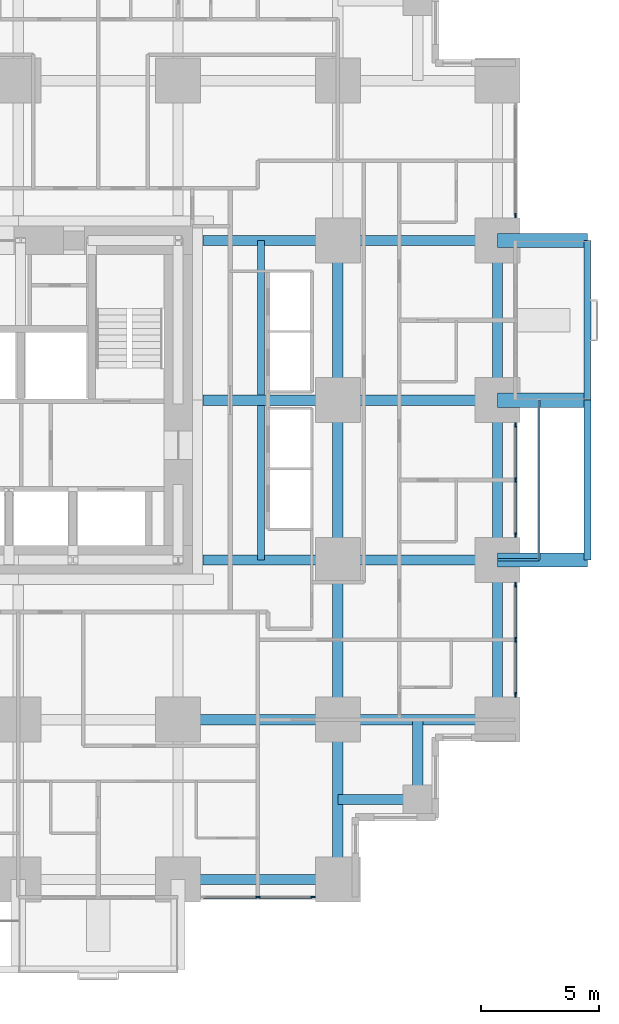
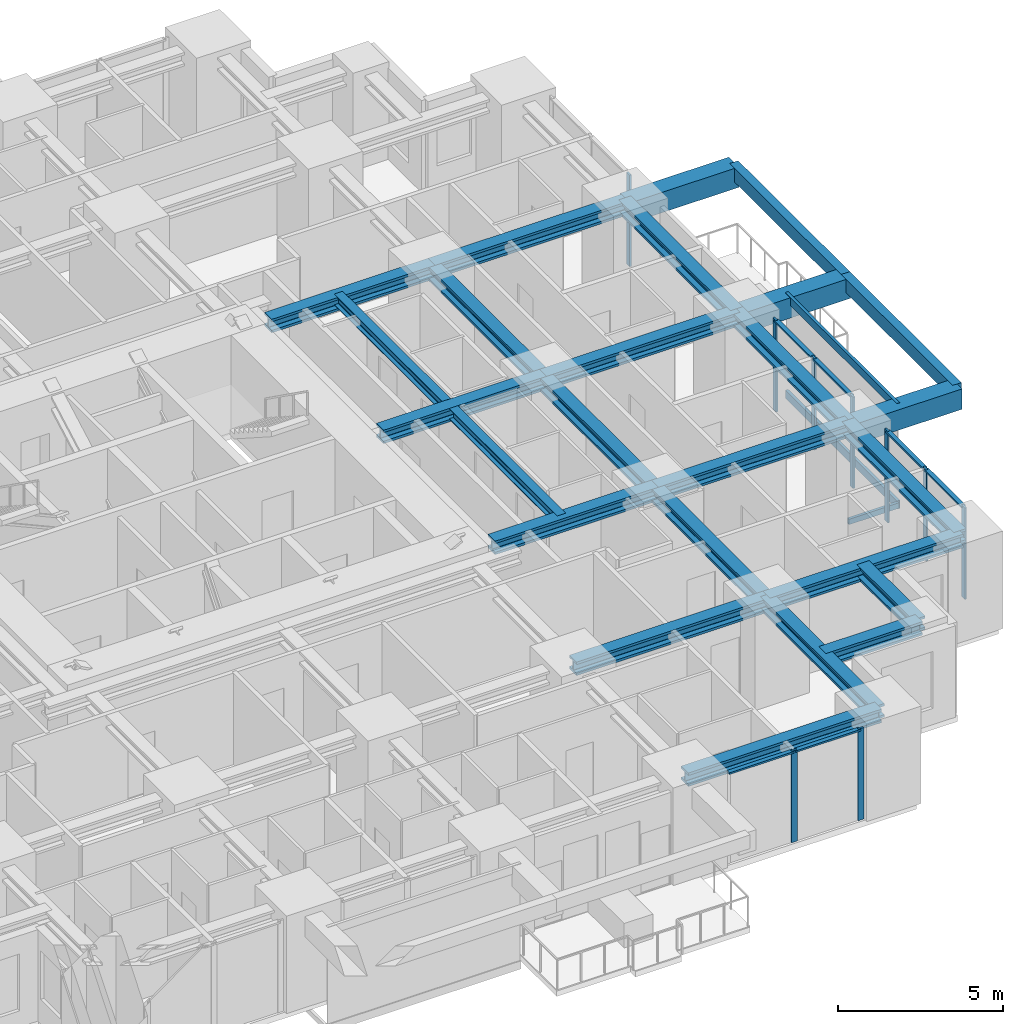
# One storey, part 4 of 14: 25 beams, 18 members, 4 elements without a shape of their own.
"""IFC4 building model written with IfcOpenShell, lengths in metres."""

from ifc_helpers import new_model, si_unit, direction, frame, origin, origin_2d, place, context, subcontext, project, spatial, rectangle, hollow_rectangle, i_section, extrude, material, material_profile, profile_set, type_object, element, aggregate, save


model = new_model("IFC4")

# Units and contexts
model_context = context("Model", 3, precision=1e-05, world=origin(), true_north=direction((0.0, 1.0)))
body_context = subcontext(model_context, "Body", "Model", "MODEL_VIEW")
ifc_project = project(units=[si_unit("LENGTHUNIT", "METRE"), si_unit("AREAUNIT", "SQUARE_METRE"), si_unit("VOLUMEUNIT", "CUBIC_METRE"), si_unit("PLANEANGLEUNIT", "RADIAN"), si_unit("MASSUNIT", "GRAM", prefix="KILO")], contexts=[model_context])

# Site, building, storey
site_placement = place(None, origin())
site = spatial("IfcSite", under=ifc_project, at=site_placement, CompositionType="ELEMENT")
building_placement = place(site_placement, origin())
building = spatial("IfcBuilding", under=site, at=building_placement, Name="Nyansa Garden Tower", CompositionType="ELEMENT")
storey_placement = place(building_placement, frame((0.0, 0.0, 43.199951171875)))
storey = spatial("IfcBuildingStorey", under=building, at=storey_placement, Name="L11", CompositionType="ELEMENT", Elevation=43.199951171875)

# Beams
ifc_material_1 = material(Name="Concrete C70/85", Category="concrete")
ifc_material_profile_1 = material_profile(ifc_material_1, rectangle(XDim=0.60009765625, YDim=0.75, at=origin_2d()), Name="RC 600x750")
ifc_profile_set_1 = profile_set([ifc_material_profile_1], Name="Concrete C70/85")
beam_type_1 = type_object("IfcBeamType", Name="Balcony cantilever beam CB1 RC 600x750", PredefinedType="BEAM", material=ifc_profile_set_1)
for number, where, z_axis, x_axis, name in (
    (1, (40.5, 13.5, 2.985107421875), (1.0, 0.0, 0.0), (0.0, 1.0, 0.0), "Balcony cantilever beam L12"),
    (2, (40.5, 20.25, 2.985107421875), (1.0, 0.0, 0.0), (0.0, 1.0, 0.0), "Balcony cantilever beam L12"),
    (3, (40.5, 27.0, 2.985107421875), (1.0, 0.0, 0.0), (0.0, 1.0, 0.0), "Balcony cantilever beam L12"),
):
    element("IfcBeam", number, at=place(storey_placement, frame(where, z_axis=z_axis, x_axis=x_axis)), inside=storey, type_object=beam_type_1, Name=name, PredefinedType="BEAM", context=body_context, shape_type="SweptSolid", body=[
        extrude(rectangle(XDim=0.60009765625, YDim=0.75, at=origin_2d()), origin(), (0.0, 0.0, 1.0), 3.800048828125),
    ])
ifc_material_2 = material(Name="Concrete C70/85", Category="concrete")
ifc_material_profile_2 = material_profile(ifc_material_2, rectangle(XDim=0.300048828125, YDim=0.5, at=origin_2d()), Name="RC 300x500")
ifc_profile_set_2 = profile_set([ifc_material_profile_2], Name="Concrete C70/85")
beam_type_2 = type_object("IfcBeamType", Name="Balcony edge beam BE1 RC 300x500", PredefinedType="BEAM", material=ifc_profile_set_2)
for number, where, z_axis, x_axis, name in (
    (4, (44.300048828125, 13.5, 3.110107421875), (0.0, 1.0, 0.0), (-1.0, 0.0, 0.0), "Balcony edge beam L12"),
    (5, (44.300048828125, 20.25, 3.110107421875), (0.0, 1.0, 0.0), (-1.0, 0.0, 0.0), "Balcony edge beam L12"),
):
    element("IfcBeam", number, at=place(storey_placement, frame(where, z_axis=z_axis, x_axis=x_axis)), inside=storey, type_object=beam_type_2, Name=name, PredefinedType="BEAM", context=body_context, shape_type="SweptSolid", body=[
        extrude(rectangle(XDim=0.300048828125, YDim=0.5, at=origin_2d()), origin(), (0.0, 0.0, 1.0), 6.75),
    ])

# Curtain wall, members
ifc_material_3 = material(Name="Black anodised aluminium, dark tinted double glazing", Category="aluminium")
curtain_wall_type = type_object("IfcCurtainWallType", Name="Inner skin curtain wall ISW-A", PredefinedType="USERDEFINED", material=ifc_material_3)
curtain_wall_1_placement = place(storey_placement, origin())
curtain_wall_1 = element("IfcCurtainWall", 6, at=curtain_wall_1_placement, inside=storey, type_object=curtain_wall_type, Name="Inner skin curtain wall L11 E", ObjectType="UNITISED CURTAIN WALL", PredefinedType="USERDEFINED")
ifc_material_4 = material(Name="Black anodised aluminium", Category="aluminium")
ifc_material_profile_3 = material_profile(ifc_material_4, rectangle(XDim=0.06494140625, YDim=0.199951171875, at=origin_2d()), Name="Mullion 200x65")
ifc_profile_set_3 = profile_set([ifc_material_profile_3], Name="Black anodised aluminium")
member_type_1 = type_object("IfcMemberType", Name="Mullion ISW-A 200x65", PredefinedType="MULLION", material=ifc_profile_set_3)
member_1_placement = place(storey_placement, frame((41.25, 7.800048828125, 0.0), z_axis=(0.0, 0.0, 1.0), x_axis=(-1.0, 0.0, 0.0)))
member_1 = element("IfcMember", 7, at=member_1_placement, type_object=member_type_1, Name="ISW-A mullion 1", PredefinedType="MULLION", context=body_context, shape_type="SweptSolid", body=[
    extrude(rectangle(XDim=0.06494140625, YDim=0.199951171875, at=origin_2d()), origin(), (0.0, 0.0, 1.0), 3.375),
])
member_2_placement = place(storey_placement, frame((41.25, 10.125, 0.0), z_axis=(0.0, 0.0, 1.0), x_axis=(-1.0, 0.0, 0.0)))
member_2 = element("IfcMember", 8, at=member_2_placement, type_object=member_type_1, Name="ISW-A mullion 2", PredefinedType="MULLION", context=body_context, shape_type="SweptSolid", body=[
    extrude(rectangle(XDim=0.06494140625, YDim=0.199951171875, at=origin_2d()), origin(), (0.0, 0.0, 1.0), 3.375),
])
member_3_placement = place(storey_placement, frame((41.25, 12.449951171875, 0.0), z_axis=(0.0, 0.0, 1.0), x_axis=(-1.0, 0.0, 0.0)))
member_3 = element("IfcMember", 9, at=member_3_placement, type_object=member_type_1, Name="ISW-A mullion 3", PredefinedType="MULLION", context=body_context, shape_type="SweptSolid", body=[
    extrude(rectangle(XDim=0.06494140625, YDim=0.199951171875, at=origin_2d()), origin(), (0.0, 0.0, 1.0), 3.375),
])

curtain_wall_2_placement = place(storey_placement, origin())
curtain_wall_2 = element("IfcCurtainWall", 10, at=curtain_wall_2_placement, inside=storey, type_object=curtain_wall_type, Name="Inner skin curtain wall L11 E", ObjectType="UNITISED CURTAIN WALL", PredefinedType="USERDEFINED")
member_4_placement = place(storey_placement, frame((41.25, 14.550048828125, 0.0), z_axis=(0.0, 0.0, 1.0), x_axis=(-1.0, 0.0, 0.0)))
member_4 = element("IfcMember", 11, at=member_4_placement, type_object=member_type_1, Name="ISW-A mullion 1", PredefinedType="MULLION", context=body_context, shape_type="SweptSolid", body=[
    extrude(rectangle(XDim=0.06494140625, YDim=0.199951171875, at=origin_2d()), origin(), (0.0, 0.0, 1.0), 3.375),
])
member_5_placement = place(storey_placement, frame((41.25, 16.875, 0.0), z_axis=(0.0, 0.0, 1.0), x_axis=(-1.0, 0.0, 0.0)))
member_5 = element("IfcMember", 12, at=member_5_placement, type_object=member_type_1, Name="ISW-A mullion 2", PredefinedType="MULLION", context=body_context, shape_type="SweptSolid", body=[
    extrude(rectangle(XDim=0.06494140625, YDim=0.199951171875, at=origin_2d()), origin(), (0.0, 0.0, 1.0), 3.375),
])
member_6_placement = place(storey_placement, frame((41.25, 19.199951171875, 0.0), z_axis=(0.0, 0.0, 1.0), x_axis=(-1.0, 0.0, 0.0)))
member_6 = element("IfcMember", 13, at=member_6_placement, type_object=member_type_1, Name="ISW-A mullion 3", PredefinedType="MULLION", context=body_context, shape_type="SweptSolid", body=[
    extrude(rectangle(XDim=0.06494140625, YDim=0.199951171875, at=origin_2d()), origin(), (0.0, 0.0, 1.0), 3.375),
])

# Curtain wall, member
curtain_wall_3_placement = place(storey_placement, origin())
curtain_wall_3 = element("IfcCurtainWall", 14, at=curtain_wall_3_placement, inside=storey, type_object=curtain_wall_type, Name="Inner skin curtain wall L11 E", ObjectType="UNITISED CURTAIN WALL", PredefinedType="USERDEFINED")
member_7_placement = place(storey_placement, frame((41.25, 28.050048828125, 0.0), z_axis=(0.0, 0.0, 1.0), x_axis=(-1.0, 0.0, 0.0)))
member_7 = element("IfcMember", 15, at=member_7_placement, type_object=member_type_1, Name="ISW-A mullion 1", PredefinedType="MULLION", context=body_context, shape_type="SweptSolid", body=[
    extrude(rectangle(XDim=0.06494140625, YDim=0.199951171875, at=origin_2d()), origin(), (0.0, 0.0, 1.0), 3.375),
])
aggregate(curtain_wall_3, [member_7])

# Curtain wall, members
curtain_wall_4_placement = place(storey_placement, origin())
curtain_wall_4 = element("IfcCurtainWall", 16, at=curtain_wall_4_placement, inside=storey, type_object=curtain_wall_type, Name="Inner skin curtain wall L11 S", ObjectType="UNITISED CURTAIN WALL", PredefinedType="USERDEFINED")
member_8_placement = place(storey_placement, frame((30.375, -0.75, 0.0), z_axis=(0.0, 0.0, 1.0), x_axis=(0.0, 1.0, 0.0)))
member_8 = element("IfcMember", 17, at=member_8_placement, type_object=member_type_1, Name="ISW-A mullion 2", PredefinedType="MULLION", context=body_context, shape_type="SweptSolid", body=[
    extrude(rectangle(XDim=0.06494140625, YDim=0.199951171875, at=origin_2d()), origin(), (0.0, 0.0, 1.0), 3.375),
])
member_9_placement = place(storey_placement, frame((32.699951171875, -0.75, 0.0), z_axis=(0.0, 0.0, 1.0), x_axis=(0.0, 1.0, 0.0)))
member_9 = element("IfcMember", 18, at=member_9_placement, type_object=member_type_1, Name="ISW-A mullion 3", PredefinedType="MULLION", context=body_context, shape_type="SweptSolid", body=[
    extrude(rectangle(XDim=0.06494140625, YDim=0.199951171875, at=origin_2d()), origin(), (0.0, 0.0, 1.0), 3.375),
])

# Members
ifc_material_5 = material(Name="Steel S355, black powder coated", Category="steel")
ifc_material_profile_4 = material_profile(ifc_material_5, hollow_rectangle(XDim=0.10009765625, YDim=0.199951171875, WallThickness=0.008056640625, at=origin_2d()), Name="RHS 200x100x8")
ifc_profile_set_4 = profile_set([ifc_material_profile_4], Name="Steel S355, black powder coated")
member_type_2 = type_object("IfcMemberType", Name="Outer skin bracket arm RHS 200x100x8", PredefinedType="USERDEFINED", material=ifc_profile_set_4)
member_10_placement = place(storey_placement, frame((40.5, 13.5, -0.375), z_axis=(1.0, 0.0, 0.0), x_axis=(0.0, 1.0, 0.0)))
element("IfcMember", 19, at=member_10_placement, inside=storey, type_object=member_type_2, Name="Outer skin bracket arm", ObjectType="OUTER SKIN BRACKET", PredefinedType="USERDEFINED", context=body_context, shape_type="SweptSolid", body=[
    extrude(hollow_rectangle(XDim=0.10009765625, YDim=0.199951171875, WallThickness=0.008056640625, at=origin_2d()), origin(), (0.0, 0.0, 1.0), 1.75),
])
ifc_material_6 = material(Name="Steel S355, black powder coated", Category="steel")
ifc_material_profile_5 = material_profile(ifc_material_6, hollow_rectangle(XDim=0.10009765625, YDim=0.300048828125, WallThickness=0.010009765625, at=origin_2d()), Name="RHS 300x100x10")
ifc_profile_set_5 = profile_set([ifc_material_profile_5], Name="Steel S355, black powder coated")
member_type_3 = type_object("IfcMemberType", Name="Outer skin rail RHS 300x100x10", PredefinedType="USERDEFINED", material=ifc_profile_set_5)
for number, where, z_axis, x_axis, name in (
    (20, (42.25, 13.5, -0.375), (0.0, 1.0, 0.0), (-1.0, 0.0, 0.0), "Outer skin rail L11"),
    (21, (42.25, 13.5, 3.22509765625), (0.0, 1.0, 0.0), (-1.0, 0.0, 0.0), "Outer skin rail L11 head"),
):
    element("IfcMember", number, at=place(storey_placement, frame(where, z_axis=z_axis, x_axis=x_axis)), inside=storey, type_object=member_type_3, Name=name, ObjectType="OUTER SKIN RAIL", PredefinedType="USERDEFINED", context=body_context, shape_type="SweptSolid", body=[
        extrude(hollow_rectangle(XDim=0.10009765625, YDim=0.300048828125, WallThickness=0.010009765625, at=origin_2d()), origin(), (0.0, 0.0, 1.0), 6.75),
    ])

# Beams
ifc_material_7 = material(Name="Steel S355", Category="steel")
ifc_material_profile_6 = material_profile(ifc_material_7, i_section(OverallWidth=0.431884765625, OverallDepth=0.498046875, WebThickness=0.0556640625, FlangeThickness=0.0888671875, FilletRadius=0.014892578125, at=origin_2d()), Name="HD 400x744")
ifc_profile_set_6 = profile_set([ifc_material_profile_6], Name="Steel S355")
beam_type_3 = type_object("IfcBeamType", Name="Steel beam SBA1-744 HD 400x744", PredefinedType="BEAM", material=ifc_profile_set_6)
beam_placement = place(storey_placement, frame((27.0, 6.75, 3.1259765625), z_axis=(1.0, 0.0, 0.0), x_axis=(0.0, 1.0, 0.0)))
element("IfcBeam", 22, at=beam_placement, inside=storey, type_object=beam_type_3, Name="Steel beam 6/E-7/E L12", PredefinedType="BEAM", context=body_context, shape_type="SweptSolid", body=[
    extrude(i_section(OverallWidth=0.431884765625, OverallDepth=0.498046875, WebThickness=0.0556640625, FlangeThickness=0.0888671875, FilletRadius=0.014892578125, at=origin_2d()), origin(), (0.0, 0.0, 1.0), 6.75),
])
for number, where, z_axis, x_axis, name in (
    (23, (28.050048828125, 13.5, 3.1259765625), (1.0, 0.0, 0.0), (0.0, 1.0, 0.0), "Steel beam 28.050/F-7/F L12"),
    (24, (28.050048828125, 20.25, 3.1259765625), (1.0, 0.0, 0.0), (0.0, 1.0, 0.0), "Steel beam 28.050/G-7/G L12"),
    (25, (28.050048828125, 27.0, 3.1259765625), (1.0, 0.0, 0.0), (0.0, 1.0, 0.0), "Steel beam 28.050/H-7/H L12"),
):
    element("IfcBeam", number, at=place(storey_placement, frame(where, z_axis=z_axis, x_axis=x_axis)), inside=storey, type_object=beam_type_3, Name=name, PredefinedType="BEAM", context=body_context, shape_type="SweptSolid", body=[
        extrude(i_section(OverallWidth=0.431884765625, OverallDepth=0.498046875, WebThickness=0.0556640625, FlangeThickness=0.0888671875, FilletRadius=0.014892578125, at=origin_2d()), origin(), (0.0, 0.0, 1.0), 5.699951171875),
    ])
for number, where, z_axis, x_axis, name in (
    (26, (33.75, 0.0, 3.1259765625), (0.0, 1.0, 0.0), (-1.0, 0.0, 0.0), "Steel beam 7/D-7/E L12"),
    (27, (33.75, 6.75, 3.1259765625), (0.0, 1.0, 0.0), (-1.0, 0.0, 0.0), "Steel beam 7/E-7/F L12"),
    (28, (33.75, 6.75, 3.1259765625), (1.0, 0.0, 0.0), (0.0, 1.0, 0.0), "Steel beam 7/E-8/E L12"),
    (29, (33.75, 13.5, 3.1259765625), (0.0, 1.0, 0.0), (-1.0, 0.0, 0.0), "Steel beam 7/F-7/G L12"),
    (30, (33.75, 13.5, 3.1259765625), (1.0, 0.0, 0.0), (0.0, 1.0, 0.0), "Steel beam 7/F-8/F L12"),
    (31, (33.75, 20.25, 3.1259765625), (0.0, 1.0, 0.0), (-1.0, 0.0, 0.0), "Steel beam 7/G-7/H L12"),
    (32, (33.75, 20.25, 3.1259765625), (1.0, 0.0, 0.0), (0.0, 1.0, 0.0), "Steel beam 7/G-8/G L12"),
    (33, (33.75, 27.0, 3.1259765625), (1.0, 0.0, 0.0), (0.0, 1.0, 0.0), "Steel beam 7/H-8/H L12"),
):
    element("IfcBeam", number, at=place(storey_placement, frame(where, z_axis=z_axis, x_axis=x_axis)), inside=storey, type_object=beam_type_3, Name=name, PredefinedType="BEAM", context=body_context, shape_type="SweptSolid", body=[
        extrude(i_section(OverallWidth=0.431884765625, OverallDepth=0.498046875, WebThickness=0.0556640625, FlangeThickness=0.0888671875, FilletRadius=0.014892578125, at=origin_2d()), origin(), (0.0, 0.0, 1.0), 6.75),
    ])
ifc_material_8 = material(Name="Steel S355", Category="steel")
ifc_material_profile_7 = material_profile(ifc_material_8, i_section(OverallWidth=0.431884765625, OverallDepth=0.498046875, WebThickness=0.0556640625, FlangeThickness=0.0888671875, FilletRadius=0.014892578125, at=origin_2d()), Name="HD 400x744")
ifc_profile_set_7 = profile_set([ifc_material_profile_7], Name="Steel S355")
beam_type_4 = type_object("IfcBeamType", Name="Steel beam SEBA-744 HD 400x744", PredefinedType="BEAM", material=ifc_profile_set_7)
for number, where, z_axis, x_axis, name in (
    (34, (27.0, 0.0, 3.1259765625), (1.0, 0.0, 0.0), (0.0, 1.0, 0.0), "Steel edge beam 6/D-7/D L12"),
    (35, (40.5, 6.75, 3.1259765625), (0.0, 1.0, 0.0), (-1.0, 0.0, 0.0), "Steel edge beam 8/E-8/F L12"),
    (36, (40.5, 13.5, 3.1259765625), (0.0, 1.0, 0.0), (-1.0, 0.0, 0.0), "Steel edge beam 8/F-8/G L12"),
    (37, (40.5, 20.25, 3.1259765625), (0.0, 1.0, 0.0), (-1.0, 0.0, 0.0), "Steel edge beam 8/G-8/H L12"),
):
    element("IfcBeam", number, at=place(storey_placement, frame(where, z_axis=z_axis, x_axis=x_axis)), inside=storey, type_object=beam_type_4, Name=name, PredefinedType="BEAM", context=body_context, shape_type="SweptSolid", body=[
        extrude(i_section(OverallWidth=0.431884765625, OverallDepth=0.498046875, WebThickness=0.0556640625, FlangeThickness=0.0888671875, FilletRadius=0.014892578125, at=origin_2d()), origin(), (0.0, 0.0, 1.0), 6.75),
    ])
ifc_material_9 = material(Name="Steel S355", Category="steel")
ifc_material_profile_8 = material_profile(ifc_material_9, i_section(OverallWidth=0.431884765625, OverallDepth=0.498046875, WebThickness=0.0556640625, FlangeThickness=0.0888671875, FilletRadius=0.014892578125, at=origin_2d()), Name="HD 400x744")
ifc_profile_set_8 = profile_set([ifc_material_profile_8], Name="Steel S355")
beam_type_5 = type_object("IfcBeamType", Name="Steel beam SSB1-744 HD 400x744", PredefinedType="BEAM", material=ifc_profile_set_8)
for number, where, z_axis, x_axis, name in (
    (38, (37.125, 3.375, 3.1259765625), (0.0, 1.0, 0.0), (-1.0, 0.0, 0.0), "Steel step beam 37.125/3.375 L12"),
    (39, (37.125, 3.375, 3.1259765625), (-1.0, 0.0, 0.0), (0.0, -1.0, 0.0), "Steel step beam 37.125/3.375 L12"),
):
    element("IfcBeam", number, at=place(storey_placement, frame(where, z_axis=z_axis, x_axis=x_axis)), inside=storey, type_object=beam_type_5, Name=name, PredefinedType="BEAM", context=body_context, shape_type="SweptSolid", body=[
        extrude(i_section(OverallWidth=0.431884765625, OverallDepth=0.498046875, WebThickness=0.0556640625, FlangeThickness=0.0888671875, FilletRadius=0.014892578125, at=origin_2d()), origin(), (0.0, 0.0, 1.0), 3.375),
    ])

# Member
ifc_material_10 = material(Name="Black anodised aluminium", Category="aluminium")
ifc_material_profile_9 = material_profile(ifc_material_10, rectangle(XDim=0.14990234375, YDim=0.06494140625, at=origin_2d()), Name="Transom 150x65")
ifc_profile_set_9 = profile_set([ifc_material_profile_9], Name="Black anodised aluminium")
member_type_4 = type_object("IfcMemberType", Name="Transom ISW-A 150x65", PredefinedType="USERDEFINED", material=ifc_profile_set_9)
member_11_placement = place(storey_placement, frame((41.25, 7.83251953125, 3.342529296875), z_axis=(0.0, 1.0, 0.0), x_axis=(-1.0, 0.0, 0.0)))
member_11 = element("IfcMember", 40, at=member_11_placement, type_object=member_type_4, Name="ISW-A transom 1", ObjectType="TRANSOM", PredefinedType="USERDEFINED", context=body_context, shape_type="SweptSolid", body=[
    extrude(rectangle(XDim=0.14990234375, YDim=0.06494140625, at=origin_2d()), origin(), (0.0, 0.0, 1.0), 2.260009765625),
])

member_12_placement = place(storey_placement, frame((41.25, 10.157470703125, 3.342529296875), z_axis=(0.0, 1.0, 0.0), x_axis=(-1.0, 0.0, 0.0)))
member_12 = element("IfcMember", 41, at=member_12_placement, type_object=member_type_4, Name="ISW-A transom 2", ObjectType="TRANSOM", PredefinedType="USERDEFINED", context=body_context, shape_type="SweptSolid", body=[
    extrude(rectangle(XDim=0.14990234375, YDim=0.06494140625, at=origin_2d()), origin(), (0.0, 0.0, 1.0), 2.260009765625),
])

aggregate(curtain_wall_1, [member_1, member_2, member_3, member_11, member_12])

member_13_placement = place(storey_placement, frame((41.25, 14.58251953125, 3.342529296875), z_axis=(0.0, 1.0, 0.0), x_axis=(-1.0, 0.0, 0.0)))
member_13 = element("IfcMember", 42, at=member_13_placement, type_object=member_type_4, Name="ISW-A transom 1", ObjectType="TRANSOM", PredefinedType="USERDEFINED", context=body_context, shape_type="SweptSolid", body=[
    extrude(rectangle(XDim=0.14990234375, YDim=0.06494140625, at=origin_2d()), origin(), (0.0, 0.0, 1.0), 2.260009765625),
])

member_14_placement = place(storey_placement, frame((41.25, 16.907470703125, 3.342529296875), z_axis=(0.0, 1.0, 0.0), x_axis=(-1.0, 0.0, 0.0)))
member_14 = element("IfcMember", 43, at=member_14_placement, type_object=member_type_4, Name="ISW-A transom 2", ObjectType="TRANSOM", PredefinedType="USERDEFINED", context=body_context, shape_type="SweptSolid", body=[
    extrude(rectangle(XDim=0.14990234375, YDim=0.06494140625, at=origin_2d()), origin(), (0.0, 0.0, 1.0), 2.260009765625),
])

aggregate(curtain_wall_2, [member_4, member_5, member_6, member_13, member_14])

member_15_placement = place(storey_placement, frame((28.08251953125, -0.75, 3.342529296875), z_axis=(1.0, 0.0, 0.0), x_axis=(0.0, 1.0, 0.0)))
member_15 = element("IfcMember", 44, at=member_15_placement, type_object=member_type_4, Name="ISW-A transom 1", ObjectType="TRANSOM", PredefinedType="USERDEFINED", context=body_context, shape_type="SweptSolid", body=[
    extrude(rectangle(XDim=0.14990234375, YDim=0.06494140625, at=origin_2d()), origin(), (0.0, 0.0, 1.0), 2.260009765625),
])

member_16_placement = place(storey_placement, frame((30.407470703125, -0.75, 3.342529296875), z_axis=(1.0, 0.0, 0.0), x_axis=(0.0, 1.0, 0.0)))
member_16 = element("IfcMember", 45, at=member_16_placement, type_object=member_type_4, Name="ISW-A transom 2", ObjectType="TRANSOM", PredefinedType="USERDEFINED", context=body_context, shape_type="SweptSolid", body=[
    extrude(rectangle(XDim=0.14990234375, YDim=0.06494140625, at=origin_2d()), origin(), (0.0, 0.0, 1.0), 2.260009765625),
])

aggregate(curtain_wall_4, [member_8, member_9, member_15, member_16])

# Beams
ifc_material_11 = material(Name="Steel S355", Category="steel")
ifc_material_profile_10 = material_profile(ifc_material_11, i_section(OverallWidth=0.300048828125, OverallDepth=0.39990234375, WebThickness=0.013427734375, FlangeThickness=0.02392578125, FilletRadius=0.027099609375, at=origin_2d()), Name="HE 400 B")
ifc_profile_set_10 = profile_set([ifc_material_profile_10], Name="Steel S355")
beam_type_6 = type_object("IfcBeamType", Name="Trimmer beam TR1 HE 400 B", PredefinedType="BEAM", material=ifc_profile_set_10)
for number, where, z_axis, x_axis, name in (
    (46, (30.5, 13.5, 3.175048828125), (0.0, 1.0, 0.0), (-1.0, 0.0, 0.0), "Trimmer beam 1 L12"),
    (47, (30.5, 20.466064453125, 3.175048828125), (0.0, 1.0, 0.0), (-1.0, 0.0, 0.0), "Trimmer beam 2 L12"),
):
    element("IfcBeam", number, at=place(storey_placement, frame(where, z_axis=z_axis, x_axis=x_axis)), inside=storey, type_object=beam_type_6, Name=name, PredefinedType="BEAM", context=body_context, shape_type="SweptSolid", body=[
        extrude(i_section(OverallWidth=0.300048828125, OverallDepth=0.39990234375, WebThickness=0.013427734375, FlangeThickness=0.02392578125, FilletRadius=0.027099609375, at=origin_2d()), origin(), (0.0, 0.0, 1.0), 6.533935546875),
    ])

save(model, "model.ifc")
